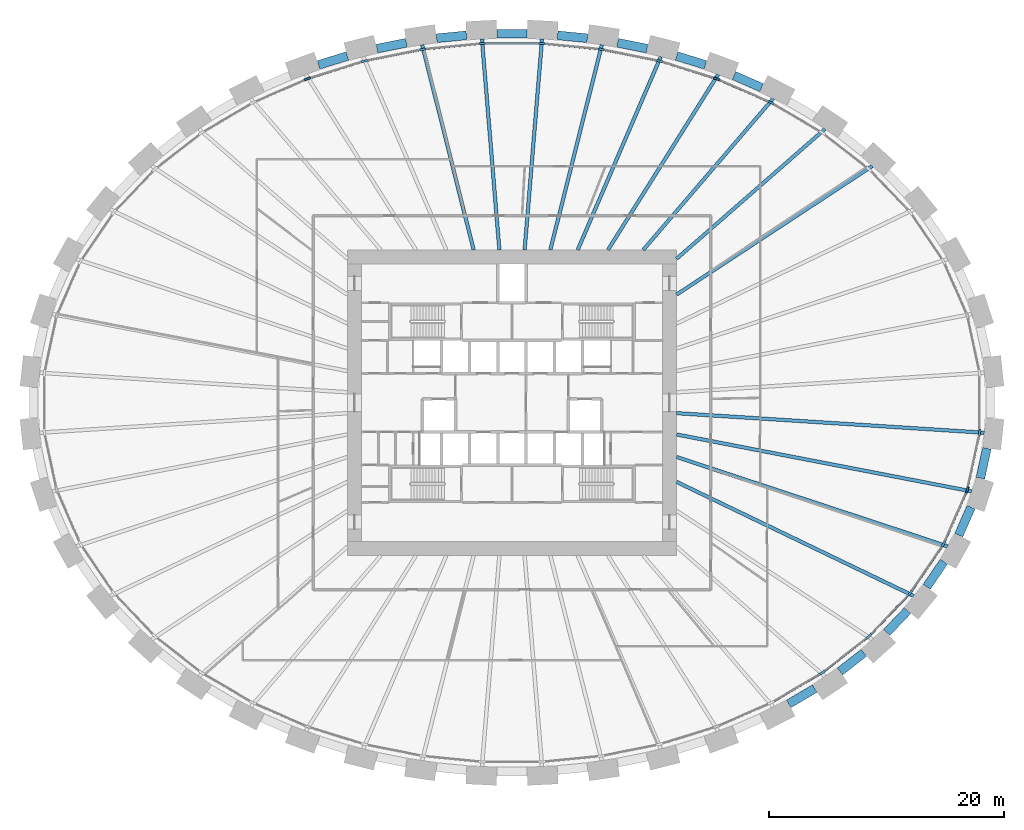
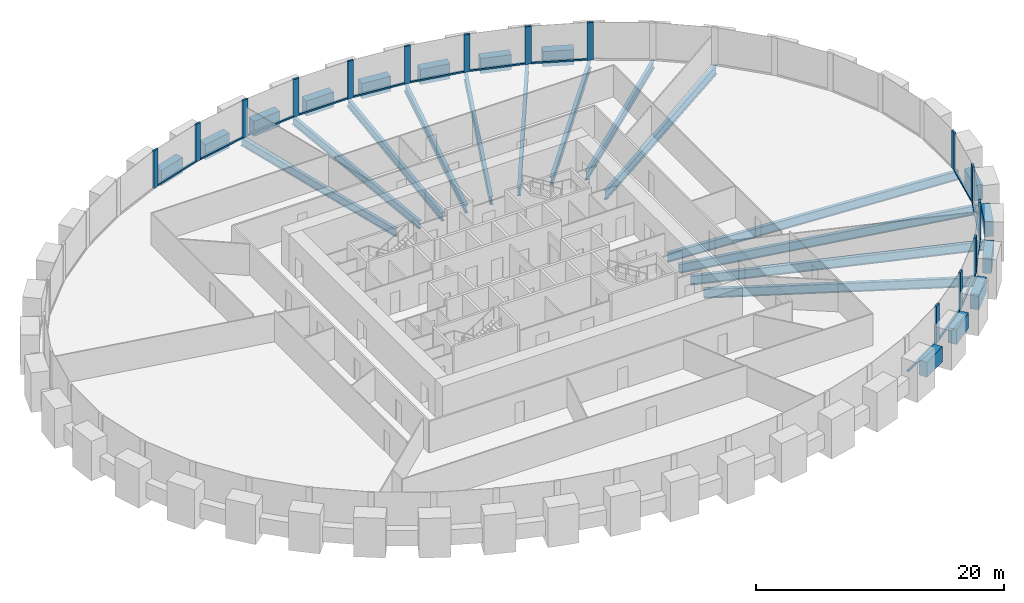
# One storey, part 3 of 10: 29 members, 27 beams, 1 element without a shape of its own.
"""IFC4 building model written with IfcOpenShell, lengths in metres."""

import ifcopenshell
import ifcopenshell.guid

model = None  # the IFC model being written
_history = None  # IfcOwnerHistory: only IFC2X3 demands one
_inside = {}  # id of a spatial element -> (the spatial element, [elements in it])
_under = {}  # id of a project, library or spatial element -> (it, [spatial elements below it])
_declared = {}  # id of a project -> (the project, [libraries it declares])
_typed = {}  # id of a type object -> (the type object, [elements of that type])
_made_of = {}  # id of a material, layer set ... -> (it, [elements and type objects made of it])


def new_model(schema):
    """Start an empty IFC model of exactly this schema.

    Asked for "IFC4X3", IfcOpenShell would pick the latest addendum, in which some entities
    have other attributes; the version numbers below select the first issue.
    IFC2X3 requires an IfcOwnerHistory on every rooted entity: one is made here for all.
    """
    global model, _history
    if schema == "IFC4X3":
        model = ifcopenshell.file(schema_version=(4, 3, 0, 0))
    else:
        model = ifcopenshell.file(schema=schema)
    _inside.clear()
    _under.clear()
    _declared.clear()
    _typed.clear()
    _made_of.clear()
    _history = None
    if model.schema == "IFC2X3":
        org = make("IfcOrganization", Name="unknown")
        user = make(
            "IfcPersonAndOrganization",
            ThePerson=make("IfcPerson", FamilyName="unknown"),
            TheOrganization=org,
        )
        app = make(
            "IfcApplication",
            ApplicationDeveloper=org,
            Version="unknown",
            ApplicationFullName="unknown",
            ApplicationIdentifier="unknown",
        )
        _history = make(
            "IfcOwnerHistory",
            OwningUser=user,
            OwningApplication=app,
            ChangeAction="ADDED",
            CreationDate=0,
        )
    return model


def make(cls, **values):
    """One entity of the class cls with the attributes given. An attribute that is None is left unset."""
    return model.create_entity(
        cls, **{name: value for name, value in values.items() if value is not None}
    )


def rooted(cls, **values):
    """An entity with a GlobalId (a new one), such as an element, a storey or a relation."""
    return make(cls, GlobalId=ifcopenshell.guid.new(), OwnerHistory=_history, **values)


def si_unit(unit_type, name, prefix=None):
    """IfcSIUnit, for example si_unit("LENGTHUNIT", "METRE", prefix="MILLI")."""
    return make("IfcSIUnit", UnitType=unit_type, Prefix=prefix, Name=name)


def assignment(units):
    """IfcUnitAssignment: the units of a project."""
    return None if units is None else make("IfcUnitAssignment", Units=units)


def point(xyz):
    """IfcCartesianPoint."""
    return None if xyz is None else make("IfcCartesianPoint", Coordinates=xyz)


def direction(xyz):
    """IfcDirection."""
    return None if xyz is None else make("IfcDirection", DirectionRatios=xyz)


def frame(location, z_axis=None, x_axis=None):
    """IfcAxis2Placement3D, a coordinate frame: its origin and axes. An axis left out is left unset."""
    return make(
        "IfcAxis2Placement3D",
        Location=point(location),
        Axis=direction(z_axis),
        RefDirection=direction(x_axis),
    )


def frame_2d(location, x_axis=None):
    """IfcAxis2Placement2D, a coordinate frame in the plane: its origin and x axis."""
    return make(
        "IfcAxis2Placement2D", Location=point(location), RefDirection=direction(x_axis)
    )


def origin():
    """The frame at (0, 0, 0) with its axes left unset."""
    return frame((0.0, 0.0, 0.0))


def origin_2d():
    """The frame at (0, 0) in the plane with its x axis left unset."""
    return frame_2d((0.0, 0.0))


def place(relative_to, where):
    """IfcLocalPlacement: puts the frame where relative to a parent placement (None: the world)."""
    return make(
        "IfcLocalPlacement", PlacementRelTo=relative_to, RelativePlacement=where
    )


def context(
    kind, dimensions, precision=None, world=None, true_north=None, identifier=None
):
    """IfcGeometricRepresentationContext, for example the 3D "Model" context."""
    return make(
        "IfcGeometricRepresentationContext",
        ContextIdentifier=identifier,
        ContextType=kind,
        CoordinateSpaceDimension=dimensions,
        Precision=precision,
        WorldCoordinateSystem=world,
        TrueNorth=true_north,
    )


def subcontext(parent, identifier, kind, view, scale=None):
    """IfcGeometricRepresentationSubContext, for example "Body" below "Model"."""
    return make(
        "IfcGeometricRepresentationSubContext",
        ContextIdentifier=identifier,
        ContextType=kind,
        ParentContext=parent,
        TargetScale=scale,
        TargetView=view,
    )


def project(units=None, contexts=None):
    """IfcProject with its units and contexts."""
    return rooted(
        "IfcProject",
        Name="project",
        RepresentationContexts=contexts,
        UnitsInContext=assignment(units),
    )


def spatial(cls, under=None, at=None, **own):
    """A site, building, storey or space (cls), placed at a placement, below another one or the project."""
    s = rooted(cls, ObjectPlacement=at, **own)
    if under is not None:
        _under.setdefault(under.id(), (under, []))[1].append(s)
    return s


def profile(cls, at=None, kind="AREA", **sizes):
    """A parametric profile (cls). Its sizes go by their IFC names, for example OverallWidth=200.0."""
    return make(cls, ProfileType=kind, Position=at, **sizes)


def rectangle(**sizes):
    """IfcRectangleProfileDef."""
    return profile("IfcRectangleProfileDef", **sizes)


def i_section(**sizes):
    """IfcIShapeProfileDef."""
    return profile("IfcIShapeProfileDef", **sizes)


def extrude(swept, where, along, depth):
    """IfcExtrudedAreaSolid: the profile swept, set in the frame where, extruded along a direction by depth."""
    return make(
        "IfcExtrudedAreaSolid",
        SweptArea=swept,
        Position=where,
        ExtrudedDirection=direction(along),
        Depth=depth,
    )


def shape(context_of_items, identifier, shape_type, items):
    """IfcShapeRepresentation: the items that make up one representation, for example the "Body"."""
    return make(
        "IfcShapeRepresentation",
        ContextOfItems=context_of_items,
        RepresentationIdentifier=identifier,
        RepresentationType=shape_type,
        Items=items,
    )


def source(mapping_origin, context_of_items, identifier, shape_type, items):
    """IfcRepresentationMap: a shape defined once, which mapped items show again and again."""
    return make(
        "IfcRepresentationMap",
        MappingOrigin=mapping_origin,
        MappedRepresentation=shape(context_of_items, identifier, shape_type, items),
    )


def transform(
    local_origin,
    x_axis=None,
    y_axis=None,
    z_axis=None,
    scale=None,
    scale2=None,
    scale3=None,
    uniform=True,
):
    """IfcCartesianTransformationOperator3D, or its non-uniform kind. x_axis, y_axis, z_axis: its Axis1, 2, 3."""
    if uniform:
        return make(
            "IfcCartesianTransformationOperator3D",
            Axis1=direction(x_axis),
            Axis2=direction(y_axis),
            LocalOrigin=point(local_origin),
            Scale=scale,
            Axis3=direction(z_axis),
        )
    return make(
        "IfcCartesianTransformationOperator3DnonUniform",
        Axis1=direction(x_axis),
        Axis2=direction(y_axis),
        LocalOrigin=point(local_origin),
        Scale=scale,
        Axis3=direction(z_axis),
        Scale2=scale2,
        Scale3=scale3,
    )


def mapped(mapping_source, mapping_target):
    """IfcMappedItem: shows the shape of a source again, moved by a transform."""
    return make(
        "IfcMappedItem", MappingSource=mapping_source, MappingTarget=mapping_target
    )


def material(Name=None, Category=None):
    """IfcMaterial."""
    return make("IfcMaterial", Name=Name, Category=Category)


def material_profile(
    of_material, cross_section, Name=None, Category=None, Priority=None
):
    """IfcMaterialProfile: a cross section and its material."""
    return make(
        "IfcMaterialProfile",
        Name=Name,
        Material=of_material,
        Profile=cross_section,
        Priority=Priority,
        Category=Category,
    )


def profile_set(profiles, Name=None, composite=None):
    """IfcMaterialProfileSet."""
    return make(
        "IfcMaterialProfileSet",
        Name=Name,
        MaterialProfiles=profiles,
        CompositeProfile=composite,
    )


def made_of(thing, what):
    """Note that an element or type object is made of a material, layer set ...; save() writes the relation."""
    if what is not None:
        _made_of.setdefault(what.id(), (what, []))[1].append(thing)
    return thing


def type_object(cls, material=None, **own):
    """A type object (cls), such as IfcWallType, which elements share."""
    return made_of(rooted(cls, **own), material)


def element(
    cls,
    number,
    at=None,
    inside=None,
    cuts=None,
    type_object=None,
    material=None,
    context=None,
    identifier="Body",
    shape_type=None,
    held_by="IfcProductDefinitionShape",
    body=None,
    shapes=None,
    **own,
):
    """One element of the class cls, such as IfcWall. Its Tag is "e" and its number.

    at: its placement. inside: the storey or other place that contains it. cuts: it is an
    opening in that element (IfcRelVoidsElement). A single representation is given by context,
    identifier, shape_type and body (its items); several are given by shapes. held_by: the class
    of the entity that holds the representations. save() writes the other relations.
    """
    e = rooted(cls, Tag="e%d" % number, ObjectPlacement=at, **own)
    if body is not None:
        shapes = [shape(context, identifier, shape_type, body)]
    if shapes is not None:
        e.Representation = make(held_by, Representations=shapes)
    if inside is not None:
        _inside.setdefault(inside.id(), (inside, []))[1].append(e)
    if cuts is not None:
        rooted(
            "IfcRelVoidsElement", RelatingBuildingElement=cuts, RelatedOpeningElement=e
        )
    if type_object is not None:
        _typed.setdefault(type_object.id(), (type_object, []))[1].append(e)
    return made_of(e, material)


def aggregate(whole, parts):
    """IfcRelAggregates: a whole, such as a stair, and the parts it consists of."""
    return rooted("IfcRelAggregates", RelatingObject=whole, RelatedObjects=parts)


def save(model, path):
    """Write the relations noted so far, then the file.

    IfcRelAggregates (storeys below a building ...), IfcRelContainedInSpatialStructure (elements
    in a storey), IfcRelDefinesByType, IfcRelAssociatesMaterial and IfcRelDeclares: one each for
    every whole, place, type object, material and project.
    """
    for whole, parts in _under.values():
        aggregate(whole, parts)
    for where, things in _inside.values():
        rooted(
            "IfcRelContainedInSpatialStructure",
            RelatedElements=things,
            RelatingStructure=where,
        )
    for kind, things in _typed.values():
        rooted("IfcRelDefinesByType", RelatedObjects=things, RelatingType=kind)
    for what, things in _made_of.values():
        rooted("IfcRelAssociatesMaterial", RelatedObjects=things, RelatingMaterial=what)
    for by, libraries in _declared.values():
        rooted("IfcRelDeclares", RelatingContext=by, RelatedDefinitions=libraries)
    model.write(path)


model = new_model("IFC4")

# Units and contexts
model_context = context("Model", 3, precision=1e-05, world=origin(), true_north=direction((0.0, 1.0)))
body_context = subcontext(model_context, "Body", "Model", "MODEL_VIEW")
ifc_project = project(units=[si_unit("LENGTHUNIT", "METRE"), si_unit("AREAUNIT", "SQUARE_METRE"), si_unit("VOLUMEUNIT", "CUBIC_METRE"), si_unit("PLANEANGLEUNIT", "RADIAN"), si_unit("MASSUNIT", "GRAM", prefix="KILO")], contexts=[model_context])

# Site, building, storey
site_placement = place(None, origin())
site = spatial("IfcSite", under=ifc_project, at=site_placement, CompositionType="ELEMENT")
building_placement = place(site_placement, origin())
building = spatial("IfcBuilding", under=site, at=building_placement, Name="Embergate Tower", CompositionType="ELEMENT")
storey_placement = place(building_placement, frame((0.0, 0.0, 93.199951171875)))
storey = spatial("IfcBuildingStorey", under=building, at=storey_placement, Name="L19", CompositionType="ELEMENT", Elevation=93.199951171875)

# Beams
ifc_material_1 = material(Name="Concrete C70", Category="concrete")
ifc_material_profile_1 = material_profile(ifc_material_1, rectangle(XDim=0.75, YDim=1.5, at=origin_2d()), Name="RC 750x1500")
ifc_profile_set_1 = profile_set([ifc_material_profile_1], Name="Concrete C70")
beam_type_1 = type_object("IfcBeamType", Name="Spandrel beam RC 750x1500 C70", PredefinedType="BEAM", material=ifc_profile_set_1)
shared_shape_1 = source(origin(), body_context, "Body", "SweptSolid", [
    extrude(rectangle(XDim=0.75, YDim=1.5, at=origin_2d()), origin(), (0.0, 0.0, 1.0), 2.5498046875),
])
beam_1_placement = place(storey_placement, frame((1.27490234375, 31.373046875, 0.0), z_axis=(-1.0, 0.0, 0.0), x_axis=(0.0, -1.0, 0.0)))
element("IfcBeam", 1, at=beam_1_placement, inside=storey, type_object=beam_type_1, Name="SPN-L19-10", PredefinedType="BEAM", context=body_context, shape_type="MappedRepresentation", body=[
    mapped(shared_shape_1, transform((0.0, 0.0, 0.0))),
])
shared_shape_2 = source(origin(), body_context, "Body", "SweptSolid", [
    extrude(rectangle(XDim=0.75, YDim=1.5, at=origin_2d()), origin(), (0.0, 0.0, 1.0), 2.556640625),
])
beam_2_placement = place(storey_placement, frame((21.22509765625, 26.7939453125, 0.0), z_axis=(-0.91608499415, 0.400984143692, 0.0), x_axis=(-0.400984143692, -0.91608499415, 0.0)))
element("IfcBeam", 2, at=beam_2_placement, inside=storey, type_object=beam_type_1, Name="SPN-L19-06", PredefinedType="BEAM", context=body_context, shape_type="MappedRepresentation", body=[
    mapped(shared_shape_2, transform((0.0, 0.0, 0.0))),
])
shared_shape_3 = source(origin(), body_context, "Body", "SweptSolid", [
    extrude(rectangle(XDim=0.75, YDim=1.5, at=origin_2d()), origin(), (0.0, 0.0, 1.0), 2.55517578125),
])
for number, where, z_axis, x_axis, name in (
    (3, (16.447021484375, 28.72802734375, 0.0), (-0.954863400913, 0.297045258499, 0.0), (-0.297045258499, -0.954863400913, 0.0), "SPN-L19-07"),
    (4, (-14.007080078125, 29.487060546875, 0.0), (-0.954863400913, -0.297045258499, 0.0), (0.297045258499, -0.954863400913, 0.0), "SPN-L19-13"),
):
    element("IfcBeam", number, at=place(storey_placement, frame(where, z_axis=z_axis, x_axis=x_axis)), inside=storey, type_object=beam_type_1, Name=name, PredefinedType="BEAM", context=body_context, shape_type="MappedRepresentation", body=[
        mapped(shared_shape_3, transform((0.0, 0.0, 0.0))),
    ])
shared_shape_4 = source(origin(), body_context, "Body", "SweptSolid", [
    extrude(rectangle(XDim=0.75, YDim=1.5, at=origin_2d()), origin(), (0.0, 0.0, 1.0), 2.593017578125),
])
beam_3_placement = place(storey_placement, frame((39.8369140625, -6.4169921875, 0.0), z_axis=(0.210615598697, 0.977568958993, 0.0), x_axis=(-0.977568958993, 0.210615598697, 0.0)))
element("IfcBeam", 5, at=beam_3_placement, inside=storey, type_object=beam_type_1, Name="SPN-L19-42", PredefinedType="BEAM", context=body_context, shape_type="MappedRepresentation", body=[
    mapped(shared_shape_4, transform((0.0, 0.0, 0.0))),
])
shared_shape_5 = source(origin(), body_context, "Body", "SweptSolid", [
    extrude(rectangle(XDim=0.75, YDim=1.5, at=origin_2d()), origin(), (0.0, 0.0, 1.0), 2.587646484375),
])
beam_4_placement = place(storey_placement, frame((37.998046875, -11.260986328125, 0.0), z_axis=(0.401546272055, 0.915838736568, 0.0), x_axis=(-0.915838736568, 0.401546272055, 0.0)))
element("IfcBeam", 6, at=beam_4_placement, inside=storey, type_object=beam_type_1, Name="SPN-L19-41", PredefinedType="BEAM", context=body_context, shape_type="MappedRepresentation", body=[
    mapped(shared_shape_5, transform((0.0, 0.0, 0.0))),
])
shared_shape_6 = source(origin(), body_context, "Body", "SweptSolid", [
    extrude(rectangle(XDim=0.75, YDim=1.5, at=origin_2d()), origin(), (0.0, 0.0, 1.0), 2.5791015625),
])
beam_5_placement = place(storey_placement, frame((35.27197265625, -15.658935546875, 0.0), z_axis=(0.562170202136, 0.82702156189, 0.0), x_axis=(-0.82702156189, 0.562170202136, 0.0)))
element("IfcBeam", 7, at=beam_5_placement, inside=storey, type_object=beam_type_1, Name="SPN-L19-40", PredefinedType="BEAM", context=body_context, shape_type="MappedRepresentation", body=[
    mapped(shared_shape_6, transform((0.0, 0.0, 0.0))),
])
shared_shape_7 = source(origin(), body_context, "Body", "SweptSolid", [
    extrude(rectangle(XDim=0.75, YDim=1.5, at=origin_2d()), origin(), (0.0, 0.0, 1.0), 2.57373046875),
])
beam_6_placement = place(storey_placement, frame((31.862060546875, -19.5439453125, 0.0), z_axis=(0.689972491303, 0.723835589927, 0.0), x_axis=(-0.723835589927, 0.689972491303, 0.0)))
element("IfcBeam", 8, at=beam_6_placement, inside=storey, type_object=beam_type_1, Name="SPN-L19-39", PredefinedType="BEAM", context=body_context, shape_type="MappedRepresentation", body=[
    mapped(shared_shape_7, transform((0.0, 0.0, 0.0))),
])
shared_shape_8 = source(origin(), body_context, "Body", "SweptSolid", [
    extrude(rectangle(XDim=0.75, YDim=1.5, at=origin_2d()), origin(), (0.0, 0.0, 1.0), 2.5654296875),
])
beam_7_placement = place(storey_placement, frame((27.89892578125, -22.85302734375, 0.0), z_axis=(0.788131123291, 0.615507378103, 0.0), x_axis=(-0.615507378103, 0.788131123291, 0.0)))
element("IfcBeam", 9, at=beam_7_placement, inside=storey, type_object=beam_type_1, Name="SPN-L19-38", PredefinedType="BEAM", context=body_context, shape_type="MappedRepresentation", body=[
    mapped(shared_shape_8, transform((0.0, 0.0, 0.0))),
])
shared_shape_9 = source(origin(), body_context, "Body", "SweptSolid", [
    extrude(rectangle(XDim=0.75, YDim=1.5, at=origin_2d()), origin(), (0.0, 0.0, 1.0), 2.561279296875),
])
beam_8_placement = place(storey_placement, frame((23.541015625, -25.613037109375, 0.0), z_axis=(0.862059156479, 0.506807666409, 0.0), x_axis=(-0.506807666409, 0.862059156479, 0.0)))
element("IfcBeam", 10, at=beam_8_placement, inside=storey, type_object=beam_type_1, Name="SPN-L19-37", PredefinedType="BEAM", context=body_context, shape_type="MappedRepresentation", body=[
    mapped(shared_shape_9, transform((0.0, 0.0, 0.0))),
])
shared_shape_10 = source(origin(), body_context, "Body", "SweptSolid", [
    extrude(rectangle(XDim=0.75, YDim=1.5, at=origin_2d()), origin(), (0.0, 0.0, 1.0), 2.551513671875),
])
for number, where, z_axis, x_axis, name in (
    (11, (11.48291015625, 30.111083984375, 0.0), (-0.980536490478, 0.196336931934, 0.0), (-0.196336931934, -0.980536490478, 0.0), "SPN-L19-08"),
    (12, (-8.98095703125, 30.612060546875, 0.0), (-0.980536490478, -0.196336931934, 0.0), (0.196336931934, -0.980536490478, 0.0), "SPN-L19-12"),
):
    element("IfcBeam", number, at=place(storey_placement, frame(where, z_axis=z_axis, x_axis=x_axis)), inside=storey, type_object=beam_type_1, Name=name, PredefinedType="BEAM", context=body_context, shape_type="MappedRepresentation", body=[
        mapped(shared_shape_10, transform((0.0, 0.0, 0.0))),
    ])
shared_shape_11 = source(origin(), body_context, "Body", "SweptSolid", [
    extrude(rectangle(XDim=0.75, YDim=1.5, at=origin_2d()), origin(), (0.0, 0.0, 1.0), 2.550048828125),
])
for number, where, z_axis, x_axis, name in (
    (13, (6.409912109375, 30.99609375, 0.0), (-0.995220318417, 0.097655096179, 0.0), (-0.097655096179, -0.995220318417, 0.0), "SPN-L19-09"),
    (14, (-3.8720703125, 31.2451171875, 0.0), (-0.995220318417, -0.097655096179, 0.0), (0.097655096179, -0.995220318417, 0.0), "SPN-L19-11"),
):
    element("IfcBeam", number, at=place(storey_placement, frame(where, z_axis=z_axis, x_axis=x_axis)), inside=storey, type_object=beam_type_1, Name=name, PredefinedType="BEAM", context=body_context, shape_type="MappedRepresentation", body=[
        mapped(shared_shape_11, transform((0.0, 0.0, 0.0))),
    ])
ifc_material_2 = material(Name="Steel Q355B", Category="steel")
ifc_material_profile_2 = material_profile(ifc_material_2, i_section(OverallWidth=0.300048828125, OverallDepth=0.89990234375, WebThickness=0.01611328125, FlangeThickness=0.028076171875, FilletRadius=0.028076171875, at=origin_2d()), Name="HN 900x300x16x28")
ifc_profile_set_2 = profile_set([ifc_material_profile_2], Name="Steel Q355 grade B")
beam_type_2 = type_object("IfcBeamType", Name="Radial girder HN 900x300x16x28", PredefinedType="BEAM", material=ifc_profile_set_2)
shared_shape_12 = source(origin(), body_context, "Body", "SweptSolid", [
    extrude(i_section(OverallWidth=0.300048828125, OverallDepth=0.89990234375, WebThickness=0.01611328125, FlangeThickness=0.028076171875, FilletRadius=0.028076171875, at=origin_2d()), origin(), (0.0, 0.0, 1.0), 26.2158203125),
])
beam_9_placement = place(storey_placement, frame((40.1630859375, -2.551025390625, -0.64990234375), z_axis=(-0.997988133713, 0.063400985539, 0.0), x_axis=(-0.063400985539, -0.997988133713, 0.0)))
element("IfcBeam", 15, at=beam_9_placement, inside=storey, type_object=beam_type_2, Name="GIR-L19-43", PredefinedType="BEAM", context=body_context, shape_type="MappedRepresentation", body=[
    mapped(shared_shape_12, transform((0.0, 0.0, 0.0))),
])
shared_shape_13 = source(origin(), body_context, "Body", "SweptSolid", [
    extrude(i_section(OverallWidth=0.300048828125, OverallDepth=0.89990234375, WebThickness=0.01611328125, FlangeThickness=0.028076171875, FilletRadius=0.028076171875, at=origin_2d()), origin(), (0.0, 0.0, 1.0), 25.5517578125),
])
beam_10_placement = place(storey_placement, frame((39.089111328125, -7.541015625, -0.64990234375), z_axis=(-0.981895532799, 0.189423236878, 0.0), x_axis=(-0.189423236878, -0.981895532799, 0.0)))
element("IfcBeam", 16, at=beam_10_placement, inside=storey, type_object=beam_type_2, Name="GIR-L19-42", PredefinedType="BEAM", context=body_context, shape_type="MappedRepresentation", body=[
    mapped(shared_shape_13, transform((0.0, 0.0, 0.0))),
])
shared_shape_14 = source(origin(), body_context, "Body", "SweptSolid", [
    extrude(i_section(OverallWidth=0.300048828125, OverallDepth=0.89990234375, WebThickness=0.01611328125, FlangeThickness=0.028076171875, FilletRadius=0.028076171875, at=origin_2d()), origin(), (0.0, 0.0, 1.0), 24.259521484375),
])
beam_11_placement = place(storey_placement, frame((37.0390625, -12.215087890625, -0.64990234375), z_axis=(-0.949686852887, 0.313201024029, 0.0), x_axis=(-0.313201024029, -0.949686852887, 0.0)))
element("IfcBeam", 17, at=beam_11_placement, inside=storey, type_object=beam_type_2, Name="GIR-L19-41", PredefinedType="BEAM", context=body_context, shape_type="MappedRepresentation", body=[
    mapped(shared_shape_14, transform((0.0, 0.0, 0.0))),
])
shared_shape_15 = source(origin(), body_context, "Body", "SweptSolid", [
    extrude(i_section(OverallWidth=0.300048828125, OverallDepth=0.89990234375, WebThickness=0.01611328125, FlangeThickness=0.028076171875, FilletRadius=0.028076171875, at=origin_2d()), origin(), (0.0, 0.0, 1.0), 22.381103515625),
])
beam_12_placement = place(storey_placement, frame((34.1689453125, -16.43701171875, -0.64990234375), z_axis=(-0.901159999326, 0.4334866268, 0.0), x_axis=(-0.4334866268, -0.901159999326, 0.0)))
element("IfcBeam", 18, at=beam_12_placement, inside=storey, type_object=beam_type_2, Name="GIR-L19-40", PredefinedType="BEAM", context=body_context, shape_type="MappedRepresentation", body=[
    mapped(shared_shape_15, transform((0.0, 0.0, 0.0))),
])
shared_shape_16 = source(origin(), body_context, "Body", "SweptSolid", [
    extrude(i_section(OverallWidth=0.300048828125, OverallDepth=0.89990234375, WebThickness=0.01611328125, FlangeThickness=0.028076171875, FilletRadius=0.028076171875, at=origin_2d()), origin(), (0.0, 0.0, 1.0), 19.9140625),
])
beam_13_placement = place(storey_placement, frame((30.64306640625, 20.133056640625, -0.64990234375), z_axis=(-0.835747275066, -0.549114279745, 0.0), x_axis=(0.549114279745, -0.835747275066, 0.0)))
element("IfcBeam", 19, at=beam_13_placement, inside=storey, type_object=beam_type_2, Name="GIR-L19-04", PredefinedType="BEAM", context=body_context, shape_type="MappedRepresentation", body=[
    mapped(shared_shape_16, transform((0.0, 0.0, 0.0))),
])
ifc_material_profile_3 = material_profile(ifc_material_2, i_section(OverallWidth=0.300048828125, OverallDepth=0.800048828125, WebThickness=0.013916015625, FlangeThickness=0.02587890625, FilletRadius=0.028076171875, at=origin_2d()), Name="HN 800x300x14x26")
ifc_profile_set_3 = profile_set([ifc_material_profile_3], Name="Steel Q355 grade B")
beam_type_3 = type_object("IfcBeamType", Name="Radial girder HN 800x300x14x26", PredefinedType="BEAM", material=ifc_profile_set_3)
shared_shape_17 = source(origin(), body_context, "Body", "SweptSolid", [
    extrude(i_section(OverallWidth=0.300048828125, OverallDepth=0.800048828125, WebThickness=0.013916015625, FlangeThickness=0.02587890625, FilletRadius=0.028076171875, at=origin_2d()), origin(), (0.0, 0.0, 1.0), 16.76123046875),
])
beam_14_placement = place(storey_placement, frame((26.616943359375, 23.277099609375, -0.599853515625), z_axis=(-0.752743596645, -0.658313814005, 0.0), x_axis=(0.658313814005, -0.752743596645, 0.0)))
element("IfcBeam", 20, at=beam_14_placement, inside=storey, type_object=beam_type_3, Name="GIR-L19-05", PredefinedType="BEAM", context=body_context, shape_type="MappedRepresentation", body=[
    mapped(shared_shape_17, transform((0.0, 0.0, 0.0))),
])
shared_shape_18 = source(origin(), body_context, "Body", "SweptSolid", [
    extrude(i_section(OverallWidth=0.300048828125, OverallDepth=0.800048828125, WebThickness=0.013916015625, FlangeThickness=0.02587890625, FilletRadius=0.028076171875, at=origin_2d()), origin(), (0.0, 0.0, 1.0), 16.958984375),
])
beam_15_placement = place(storey_placement, frame((22.2119140625, 25.865966796875, -0.599853515625), z_axis=(-0.651500044605, -0.75864859578, 0.0), x_axis=(0.75864859578, -0.651500044605, 0.0)))
element("IfcBeam", 21, at=beam_15_placement, inside=storey, type_object=beam_type_3, Name="GIR-L19-06", PredefinedType="BEAM", context=body_context, shape_type="MappedRepresentation", body=[
    mapped(shared_shape_18, transform((0.0, 0.0, 0.0))),
])
shared_shape_19 = source(origin(), body_context, "Body", "SweptSolid", [
    extrude(i_section(OverallWidth=0.300048828125, OverallDepth=0.800048828125, WebThickness=0.013916015625, FlangeThickness=0.02587890625, FilletRadius=0.028076171875, at=origin_2d()), origin(), (0.0, 0.0, 1.0), 17.611083984375),
])
beam_16_placement = place(storey_placement, frame((17.531005859375, 27.9140625, -0.599853515625), z_axis=(-0.531822007443, -0.846856158034, 0.0), x_axis=(0.846856158034, -0.531822007443, 0.0)))
element("IfcBeam", 22, at=beam_16_placement, inside=storey, type_object=beam_type_3, Name="GIR-L19-07", PredefinedType="BEAM", context=body_context, shape_type="MappedRepresentation", body=[
    mapped(shared_shape_19, transform((0.0, 0.0, 0.0))),
])
shared_shape_20 = source(origin(), body_context, "Body", "SweptSolid", [
    extrude(i_section(OverallWidth=0.300048828125, OverallDepth=0.800048828125, WebThickness=0.013916015625, FlangeThickness=0.02587890625, FilletRadius=0.028076171875, at=origin_2d()), origin(), (0.0, 0.0, 1.0), 17.88720703125),
])
beam_17_placement = place(storey_placement, frame((12.652099609375, 29.43310546875, -0.599853515625), z_axis=(-0.394932140267, -0.918710294154, 0.0), x_axis=(0.918710294154, -0.394932140267, 0.0)))
element("IfcBeam", 23, at=beam_17_placement, inside=storey, type_object=beam_type_3, Name="GIR-L19-08", PredefinedType="BEAM", context=body_context, shape_type="MappedRepresentation", body=[
    mapped(shared_shape_20, transform((0.0, 0.0, 0.0))),
])
shared_shape_21 = source(origin(), body_context, "Body", "SweptSolid", [
    extrude(i_section(OverallWidth=0.300048828125, OverallDepth=0.800048828125, WebThickness=0.013916015625, FlangeThickness=0.02587890625, FilletRadius=0.028076171875, at=origin_2d()), origin(), (0.0, 0.0, 1.0), 17.97802734375),
])
for number, where, z_axis, x_axis, name in (
    (24, (7.64111328125, 30.43701171875, -0.599853515625), (-0.243474924344, -0.969907192063, 0.0), (0.969907192063, -0.243474924344, 0.0), "GIR-L19-09"),
    (25, (-7.64111328125, 30.43701171875, -0.599853515625), (0.243474924344, -0.969907192063, 0.0), (0.969907192063, 0.243474924344, 0.0), "GIR-L19-12"),
):
    element("IfcBeam", number, at=place(storey_placement, frame(where, z_axis=z_axis, x_axis=x_axis)), inside=storey, type_object=beam_type_3, Name=name, PredefinedType="BEAM", context=body_context, shape_type="MappedRepresentation", body=[
        mapped(shared_shape_21, transform((0.0, 0.0, 0.0))),
    ])
shared_shape_22 = source(origin(), body_context, "Body", "SweptSolid", [
    extrude(i_section(OverallWidth=0.300048828125, OverallDepth=0.800048828125, WebThickness=0.013916015625, FlangeThickness=0.02587890625, FilletRadius=0.028076171875, at=origin_2d()), origin(), (0.0, 0.0, 1.0), 17.9990234375),
])
for number, where, z_axis, x_axis, name in (
    (26, (2.554931640625, 30.93798828125, -0.599853515625), (-0.08227987839, -0.996609262255, 0.0), (0.996609262255, -0.08227987839, 0.0), "GIR-L19-10"),
    (27, (-2.554931640625, 30.93798828125, -0.599853515625), (0.08227987839, -0.996609262255, 0.0), (0.996609262255, 0.08227987839, 0.0), "GIR-L19-11"),
):
    element("IfcBeam", number, at=place(storey_placement, frame(where, z_axis=z_axis, x_axis=x_axis)), inside=storey, type_object=beam_type_3, Name=name, PredefinedType="BEAM", context=body_context, shape_type="MappedRepresentation", body=[
        mapped(shared_shape_22, transform((0.0, 0.0, 0.0))),
    ])

# Curtain wall, members
ifc_material_3 = material(Name="Aluminium and glass", Category="aluminium")
curtain_wall_type = type_object("IfcCurtainWallType", Name="Recessed office glazing", PredefinedType="NOTDEFINED", material=ifc_material_3)
curtain_wall_placement = place(storey_placement, origin())
curtain_wall = element("IfcCurtainWall", 28, at=curtain_wall_placement, inside=storey, type_object=curtain_wall_type, Name="Recessed office glazing ring", ObjectType="RECESSED OFFICE GLAZING", PredefinedType="USERDEFINED")
ifc_material_4 = material(Name="Aluminium, thermally broken", Category="aluminium")
ifc_material_profile_4 = material_profile(ifc_material_4, rectangle(XDim=0.179931640625, YDim=0.52001953125, at=origin_2d()), Name="AL 520x180")
ifc_profile_set_4 = profile_set([ifc_material_profile_4], Name="Aluminium, thermally broken")
member_type_1 = type_object("IfcMemberType", Name="Office mullion", PredefinedType="MULLION", material=ifc_profile_set_4)
shared_shape_23 = source(origin(), body_context, "Body", "SweptSolid", [
    extrude(rectangle(XDim=0.179931640625, YDim=0.52001953125, at=origin_2d()), origin(), (0.0, 0.0, 1.0), 3.699951171875),
])
member_1_placement = place(storey_placement, frame((22.03564453125, 25.518310546875, 0.0), z_axis=(0.0, 0.0, 1.0), x_axis=(-0.454514489796, -0.890739343784, 0.0)))
member_1 = element("IfcMember", 29, at=member_1_placement, type_object=member_type_1, Name="CW mullion 7", PredefinedType="MULLION", context=body_context, shape_type="MappedRepresentation", body=[
    mapped(shared_shape_23, transform((0.0, 0.0, 0.0))),
])
member_2_placement = place(storey_placement, frame((17.394775390625, 27.547607421875, 0.0), z_axis=(0.0, 0.0, 1.0), x_axis=(-0.349504318111, -0.93693475313, 0.0)))
member_2 = element("IfcMember", 30, at=member_2_placement, type_object=member_type_1, Name="CW mullion 8", PredefinedType="MULLION", context=body_context, shape_type="MappedRepresentation", body=[
    mapped(shared_shape_23, transform((0.0, 0.0, 0.0))),
])
member_3_placement = place(storey_placement, frame((12.555419921875, 29.0546875, 0.0), z_axis=(0.0, 0.0, 1.0), x_axis=(-0.247313572481, -0.968935496752, 0.0)))
member_3 = element("IfcMember", 31, at=member_3_placement, type_object=member_type_1, Name="CW mullion 9", PredefinedType="MULLION", context=body_context, shape_type="MappedRepresentation", body=[
    mapped(shared_shape_23, transform((0.0, 0.0, 0.0))),
])
member_4_placement = place(storey_placement, frame((7.583740234375, 30.052001953125, 0.0), z_axis=(0.0, 0.0, 1.0), x_axis=(-0.147412382818, -0.989075118174, 0.0)))
member_4 = element("IfcMember", 32, at=member_4_placement, type_object=member_type_1, Name="CW mullion 10", PredefinedType="MULLION", context=body_context, shape_type="MappedRepresentation", body=[
    mapped(shared_shape_23, transform((0.0, 0.0, 0.0))),
])
member_5_placement = place(storey_placement, frame((2.5361328125, 30.548095703125, 0.0), z_axis=(0.0, 0.0, 1.0), x_axis=(-0.048971796621, -0.998800161762, 0.0)))
member_5 = element("IfcMember", 33, at=member_5_placement, type_object=member_type_1, Name="CW mullion 11", PredefinedType="MULLION", context=body_context, shape_type="MappedRepresentation", body=[
    mapped(shared_shape_23, transform((0.0, 0.0, 0.0))),
])
member_6_placement = place(storey_placement, frame((-2.5361328125, 30.548095703125, 0.0), z_axis=(0.0, 0.0, 1.0), x_axis=(0.048971796621, -0.998800161762, 0.0)))
member_6 = element("IfcMember", 34, at=member_6_placement, type_object=member_type_1, Name="CW mullion 12", PredefinedType="MULLION", context=body_context, shape_type="MappedRepresentation", body=[
    mapped(shared_shape_23, transform((0.0, 0.0, 0.0))),
])
member_7_placement = place(storey_placement, frame((-7.583740234375, 30.052001953125, 0.0), z_axis=(0.0, 0.0, 1.0), x_axis=(0.147412382818, -0.989075118174, 0.0)))
member_7 = element("IfcMember", 35, at=member_7_placement, type_object=member_type_1, Name="CW mullion 13", PredefinedType="MULLION", context=body_context, shape_type="MappedRepresentation", body=[
    mapped(shared_shape_23, transform((0.0, 0.0, 0.0))),
])
member_8_placement = place(storey_placement, frame((-12.555419921875, 29.0546875, 0.0), z_axis=(0.0, 0.0, 1.0), x_axis=(0.247313572481, -0.968935496752, 0.0)))
member_8 = element("IfcMember", 36, at=member_8_placement, type_object=member_type_1, Name="CW mullion 14", PredefinedType="MULLION", context=body_context, shape_type="MappedRepresentation", body=[
    mapped(shared_shape_23, transform((0.0, 0.0, 0.0))),
])
member_9_placement = place(storey_placement, frame((-17.394775390625, 27.547607421875, 0.0), z_axis=(0.0, 0.0, 1.0), x_axis=(0.349504318111, -0.93693475313, 0.0)))
member_9 = element("IfcMember", 37, at=member_9_placement, type_object=member_type_1, Name="CW mullion 15", PredefinedType="MULLION", context=body_context, shape_type="MappedRepresentation", body=[
    mapped(shared_shape_23, transform((0.0, 0.0, 0.0))),
])
member_10_placement = place(storey_placement, frame((26.39794921875, -22.95361328125, 0.0), z_axis=(0.0, 0.0, 1.0), x_axis=(-0.562220505278, 0.826987365953, 0.0)))
member_10 = element("IfcMember", 38, at=member_10_placement, type_object=member_type_1, Name="CW mullion 39", PredefinedType="MULLION", context=body_context, shape_type="MappedRepresentation", body=[
    mapped(shared_shape_23, transform((0.0, 0.0, 0.0))),
])
member_11_placement = place(storey_placement, frame((30.382568359375, -19.84375, 0.0), z_axis=(0.0, 0.0, 1.0), x_axis=(-0.671231708857, 0.741247592256, 0.0)))
member_11 = element("IfcMember", 39, at=member_11_placement, type_object=member_type_1, Name="CW mullion 40", PredefinedType="MULLION", context=body_context, shape_type="MappedRepresentation", body=[
    mapped(shared_shape_23, transform((0.0, 0.0, 0.0))),
])
member_12_placement = place(storey_placement, frame((33.86572265625, -16.19140625, 0.0), z_axis=(0.0, 0.0, 1.0), x_axis=(-0.777878048342, 0.628415262312, 0.0)))
member_12 = element("IfcMember", 40, at=member_12_placement, type_object=member_type_1, Name="CW mullion 41", PredefinedType="MULLION", context=body_context, shape_type="MappedRepresentation", body=[
    mapped(shared_shape_23, transform((0.0, 0.0, 0.0))),
])
member_13_placement = place(storey_placement, frame((36.698974609375, -12.025390625, 0.0), z_axis=(0.0, 0.0, 1.0), x_axis=(-0.875006120538, 0.484111855898, 0.0)))
member_13 = element("IfcMember", 41, at=member_13_placement, type_object=member_type_1, Name="CW mullion 42", PredefinedType="MULLION", context=body_context, shape_type="MappedRepresentation", body=[
    mapped(shared_shape_23, transform((0.0, 0.0, 0.0))),
])
member_14_placement = place(storey_placement, frame((38.718994140625, -7.41943359375, 0.0), z_axis=(0.0, 0.0, 1.0), x_axis=(-0.951500482757, 0.30764725143, 0.0)))
member_14 = element("IfcMember", 42, at=member_14_placement, type_object=member_type_1, Name="CW mullion 43", PredefinedType="MULLION", context=body_context, shape_type="MappedRepresentation", body=[
    mapped(shared_shape_23, transform((0.0, 0.0, 0.0))),
])
member_15_placement = place(storey_placement, frame((39.775390625, -2.509765625, 0.0), z_axis=(0.0, 0.0, 1.0), x_axis=(-0.994385324123, 0.105819786286, 0.0)))
member_15 = element("IfcMember", 43, at=member_15_placement, type_object=member_type_1, Name="CW mullion 44", PredefinedType="MULLION", context=body_context, shape_type="MappedRepresentation", body=[
    mapped(shared_shape_23, transform((0.0, 0.0, 0.0))),
])
ifc_material_profile_5 = material_profile(ifc_material_4, rectangle(XDim=0.179931640625, YDim=0.14990234375, at=origin_2d()), Name="AL 150x180")
ifc_profile_set_5 = profile_set([ifc_material_profile_5], Name="Aluminium, thermally broken")
member_type_2 = type_object("IfcMemberType", Name="Office sill transom", PredefinedType="USERDEFINED", material=ifc_profile_set_5)
shared_shape_24 = source(origin(), body_context, "Body", "SweptSolid", [
    extrude(rectangle(XDim=0.179931640625, YDim=0.14990234375, at=origin_2d()), origin(), (0.0, 0.0, 1.0), 4.502197265625),
])
member_16_placement = place(storey_placement, frame((38.773681640625, -7.165283203125, 0.074951171875), z_axis=(0.210351167002, 0.977625892937, 0.0), x_axis=(-0.977625892937, 0.210351167002, 0.0)))
member_16 = element("IfcMember", 44, at=member_16_placement, type_object=member_type_2, Name="CW transom 43.1", ObjectType="TRANSOM", PredefinedType="USERDEFINED", context=body_context, shape_type="MappedRepresentation", body=[
    mapped(shared_shape_24, transform((0.0, 0.0, 0.0))),
])
shared_shape_25 = source(origin(), body_context, "Body", "SweptSolid", [
    extrude(rectangle(XDim=0.179931640625, YDim=0.14990234375, at=origin_2d()), origin(), (0.0, 0.0, 1.0), 4.54541015625),
])
member_17_placement = place(storey_placement, frame((21.79736328125, 25.62255859375, 0.074951171875), z_axis=(-0.916233748986, 0.400644127898, 0.0), x_axis=(-0.400644127898, -0.916233748986, 0.0)))
member_17 = element("IfcMember", 45, at=member_17_placement, type_object=member_type_2, Name="CW transom 7.1", ObjectType="TRANSOM", PredefinedType="USERDEFINED", context=body_context, shape_type="MappedRepresentation", body=[
    mapped(shared_shape_25, transform((0.0, 0.0, 0.0))),
])
shared_shape_26 = source(origin(), body_context, "Body", "SweptSolid", [
    extrude(rectangle(XDim=0.179931640625, YDim=0.14990234375, at=origin_2d()), origin(), (0.0, 0.0, 1.0), 4.50927734375),
])
member_18_placement = place(storey_placement, frame((36.80322265625, -11.787109375, 0.074951171875), z_axis=(0.401687783821, 0.915776678197, 0.0), x_axis=(-0.915776678197, 0.401687783821, 0.0)))
member_18 = element("IfcMember", 46, at=member_18_placement, type_object=member_type_2, Name="CW transom 42.1", ObjectType="TRANSOM", PredefinedType="USERDEFINED", context=body_context, shape_type="MappedRepresentation", body=[
    mapped(shared_shape_26, transform((0.0, 0.0, 0.0))),
])
shared_shape_27 = source(origin(), body_context, "Body", "SweptSolid", [
    extrude(rectangle(XDim=0.179931640625, YDim=0.14990234375, at=origin_2d()), origin(), (0.0, 0.0, 1.0), 4.51806640625),
])
member_19_placement = place(storey_placement, frame((34.011962890625, -15.976318359375, 0.074951171875), z_axis=(0.562345492648, 0.826902380513, 0.0), x_axis=(-0.826902380513, 0.562345492648, 0.0)))
member_19 = element("IfcMember", 47, at=member_19_placement, type_object=member_type_2, Name="CW transom 41.1", ObjectType="TRANSOM", PredefinedType="USERDEFINED", context=body_context, shape_type="MappedRepresentation", body=[
    mapped(shared_shape_27, transform((0.0, 0.0, 0.0))),
])
shared_shape_28 = source(origin(), body_context, "Body", "SweptSolid", [
    extrude(rectangle(XDim=0.179931640625, YDim=0.14990234375, at=origin_2d()), origin(), (0.0, 0.0, 1.0), 4.527099609375),
])
member_20_placement = place(storey_placement, frame((30.56201171875, -19.655517578125, 0.074951171875), z_axis=(0.690135768869, 0.723679915797, 0.0), x_axis=(-0.723679915797, 0.690135768869, 0.0)))
member_20 = element("IfcMember", 48, at=member_20_placement, type_object=member_type_2, Name="CW transom 40.1", ObjectType="TRANSOM", PredefinedType="USERDEFINED", context=body_context, shape_type="MappedRepresentation", body=[
    mapped(shared_shape_28, transform((0.0, 0.0, 0.0))),
])
shared_shape_29 = source(origin(), body_context, "Body", "SweptSolid", [
    extrude(rectangle(XDim=0.179931640625, YDim=0.14990234375, at=origin_2d()), origin(), (0.0, 0.0, 1.0), 4.53466796875),
])
member_21_placement = place(storey_placement, frame((26.60302734375, -22.793701171875, 0.074951171875), z_axis=(0.78831323582, 0.615274119584, 0.0), x_axis=(-0.615274119584, 0.78831323582, 0.0)))
member_21 = element("IfcMember", 49, at=member_21_placement, type_object=member_type_2, Name="CW transom 39.1", ObjectType="TRANSOM", PredefinedType="USERDEFINED", context=body_context, shape_type="MappedRepresentation", body=[
    mapped(shared_shape_29, transform((0.0, 0.0, 0.0))),
])
shared_shape_30 = source(origin(), body_context, "Body", "SweptSolid", [
    extrude(rectangle(XDim=0.179931640625, YDim=0.14990234375, at=origin_2d()), origin(), (0.0, 0.0, 1.0), 4.54052734375),
])
member_22_placement = place(storey_placement, frame((22.259765625, -25.38671875, 0.074951171875), z_axis=(0.862042012294, 0.506836826839, 0.0), x_axis=(-0.506836826839, 0.862042012294, 0.0)))
member_22 = element("IfcMember", 50, at=member_22_placement, type_object=member_type_2, Name="CW transom 38.1", ObjectType="TRANSOM", PredefinedType="USERDEFINED", context=body_context, shape_type="MappedRepresentation", body=[
    mapped(shared_shape_30, transform((0.0, 0.0, 0.0))),
])
shared_shape_31 = source(origin(), body_context, "Body", "SweptSolid", [
    extrude(rectangle(XDim=0.179931640625, YDim=0.14990234375, at=origin_2d()), origin(), (0.0, 0.0, 1.0), 4.548583984375),
])
member_23_placement = place(storey_placement, frame((17.146484375, 27.625, 0.074951171875), z_axis=(-0.954766057569, 0.297357991845, 0.0), x_axis=(-0.297357991845, -0.954766057569, 0.0)))
member_23 = element("IfcMember", 51, at=member_23_placement, type_object=member_type_2, Name="CW transom 8.1", ObjectType="TRANSOM", PredefinedType="USERDEFINED", context=body_context, shape_type="MappedRepresentation", body=[
    mapped(shared_shape_31, transform((0.0, 0.0, 0.0))),
])
member_24_placement = place(storey_placement, frame((-12.8037109375, 28.9775390625, 0.074951171875), z_axis=(-0.954766057569, -0.297357991845, 0.0), x_axis=(0.297357991845, -0.954766057569, 0.0)))
member_24 = element("IfcMember", 52, at=member_24_placement, type_object=member_type_2, Name="CW transom 14.1", ObjectType="TRANSOM", PredefinedType="USERDEFINED", context=body_context, shape_type="MappedRepresentation", body=[
    mapped(shared_shape_31, transform((0.0, 0.0, 0.0))),
])
shared_shape_32 = source(origin(), body_context, "Body", "SweptSolid", [
    extrude(rectangle(XDim=0.179931640625, YDim=0.14990234375, at=origin_2d()), origin(), (0.0, 0.0, 1.0), 4.55078125),
])
member_25_placement = place(storey_placement, frame((12.300537109375, 29.10595703125, 0.074951171875), z_axis=(-0.980479438646, 0.196621642736, 0.0), x_axis=(-0.196621642736, -0.980479438646, 0.0)))
member_25 = element("IfcMember", 53, at=member_25_placement, type_object=member_type_2, Name="CW transom 9.1", ObjectType="TRANSOM", PredefinedType="USERDEFINED", context=body_context, shape_type="MappedRepresentation", body=[
    mapped(shared_shape_32, transform((0.0, 0.0, 0.0))),
])
member_26_placement = place(storey_placement, frame((-7.838623046875, 30.000732421875, 0.074951171875), z_axis=(-0.980479438646, -0.196621642736, 0.0), x_axis=(0.196621642736, -0.980479438646, 0.0)))
member_26 = element("IfcMember", 54, at=member_26_placement, type_object=member_type_2, Name="CW transom 13.1", ObjectType="TRANSOM", PredefinedType="USERDEFINED", context=body_context, shape_type="MappedRepresentation", body=[
    mapped(shared_shape_32, transform((0.0, 0.0, 0.0))),
])
shared_shape_33 = source(origin(), body_context, "Body", "SweptSolid", [
    extrude(rectangle(XDim=0.179931640625, YDim=0.14990234375, at=origin_2d()), origin(), (0.0, 0.0, 1.0), 4.552001953125),
])
member_27_placement = place(storey_placement, frame((7.3251953125, 30.077392578125, 0.074951171875), z_axis=(-0.995203575845, 0.097825572448, 0.0), x_axis=(-0.097825572448, -0.995203575845, 0.0)))
member_27 = element("IfcMember", 55, at=member_27_placement, type_object=member_type_2, Name="CW transom 10.1", ObjectType="TRANSOM", PredefinedType="USERDEFINED", context=body_context, shape_type="MappedRepresentation", body=[
    mapped(shared_shape_33, transform((0.0, 0.0, 0.0))),
])
member_28_placement = place(storey_placement, frame((-2.794921875, 30.522705078125, 0.074951171875), z_axis=(-0.995203575845, -0.097825572448, 0.0), x_axis=(0.097825572448, -0.995203575845, 0.0)))
member_28 = element("IfcMember", 56, at=member_28_placement, type_object=member_type_2, Name="CW transom 12.1", ObjectType="TRANSOM", PredefinedType="USERDEFINED", context=body_context, shape_type="MappedRepresentation", body=[
    mapped(shared_shape_33, transform((0.0, 0.0, 0.0))),
])
shared_shape_34 = source(origin(), body_context, "Body", "SweptSolid", [
    extrude(rectangle(XDim=0.179931640625, YDim=0.14990234375, at=origin_2d()), origin(), (0.0, 0.0, 1.0), 4.55224609375),
])
member_29_placement = place(storey_placement, frame((2.276123046875, 30.548095703125, 0.074951171875), z_axis=(-1.0, 0.0, 0.0), x_axis=(0.0, -1.0, 0.0)))
member_29 = element("IfcMember", 57, at=member_29_placement, type_object=member_type_2, Name="CW transom 11.1", ObjectType="TRANSOM", PredefinedType="USERDEFINED", context=body_context, shape_type="MappedRepresentation", body=[
    mapped(shared_shape_34, transform((0.0, 0.0, 0.0))),
])
aggregate(curtain_wall, [member_1, member_2, member_3, member_4, member_5, member_6, member_7, member_8, member_9, member_10, member_11, member_12, member_13, member_14, member_15, member_17, member_23, member_25, member_27, member_29, member_28, member_26, member_24, member_22, member_21, member_20, member_19, member_18, member_16])

save(model, "model.ifc")
